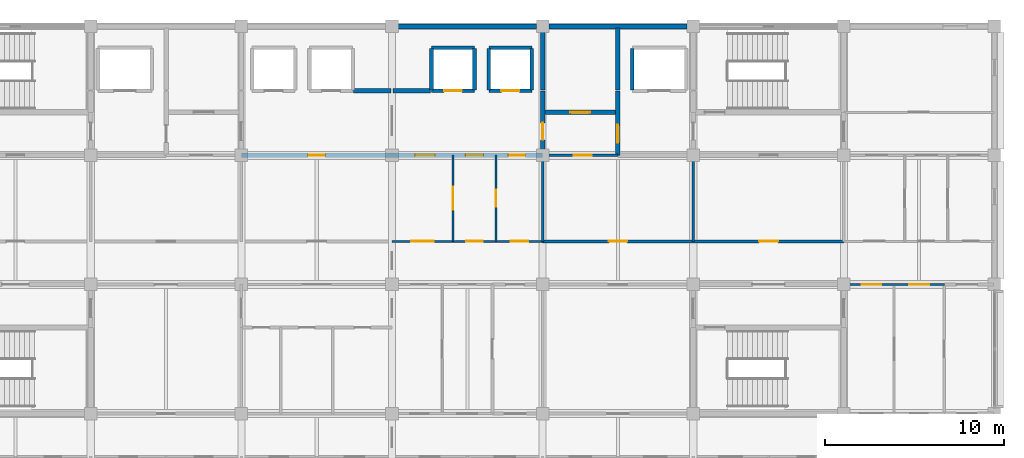
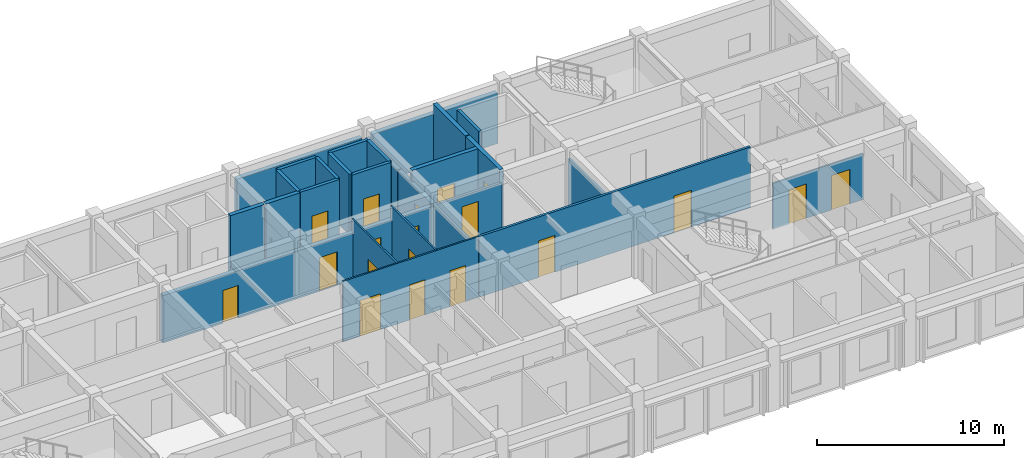
# One storey, part 15 of 19: 27 walls, 19 doors, 19 openings.
"""IFC4 building model written with IfcOpenShell, lengths in metres."""

from ifc_helpers import new_model, si_unit, direction, frame, frame_2d, origin, place, context, subcontext, project, spatial, rectangle, extrude, material, layer, layer_set, type_object, element, fill, save


model = new_model("IFC4")

# Units and contexts
model_context = context("Model", 3, precision=1e-05, world=origin(), true_north=direction((0.0, 1.0)))
body_context = subcontext(model_context, "Body", "Model", "MODEL_VIEW")
ifc_project = project(units=[si_unit("LENGTHUNIT", "METRE"), si_unit("AREAUNIT", "SQUARE_METRE"), si_unit("VOLUMEUNIT", "CUBIC_METRE"), si_unit("PLANEANGLEUNIT", "RADIAN"), si_unit("MASSUNIT", "GRAM", prefix="KILO")], contexts=[model_context])

# Site, building, storey
site_placement = place(None, origin())
site = spatial("IfcSite", under=ifc_project, at=site_placement, CompositionType="ELEMENT")
building_placement = place(site_placement, origin())
building = spatial("IfcBuilding", under=site, at=building_placement, Name="Chengyuan Square Courthouse", CompositionType="ELEMENT")
storey_placement = place(building_placement, frame((0.0, 0.0, 56.10009765625)))
storey = spatial("IfcBuildingStorey", under=building, at=storey_placement, Name="L13", CompositionType="ELEMENT", Elevation=56.10009765625)

# Walls
ifc_material_1 = material(Name="Concrete C40", Category="concrete")
ifc_layer_1 = layer(ifc_material_1, 0.280029296875)
ifc_layer_set_1 = layer_set([ifc_layer_1], Name="Concrete C40")
wall_type_1 = type_object("IfcWallType", Name="WL-EW4", PredefinedType="STANDARD", material=ifc_layer_set_1)
for number, where, z_axis, x_axis, name in (
    (1, (84.344970703125, 108.0, 0.0), (0.0, 0.0, 1.0), (1.0, 0.0, 0.0), "Exterior Wall WL-L13-E498"),
    (2, (92.7451171875, 108.0, 0.0), (0.0, 0.0, 1.0), (1.0, 0.0, 0.0), "Exterior Wall WL-L13-E500"),
):
    element("IfcWall", number, at=place(storey_placement, frame(where, z_axis=z_axis, x_axis=x_axis)), inside=storey, type_object=wall_type_1, Name=name, PredefinedType="STANDARD", context=body_context, shape_type="SweptSolid", body=[
        extrude(rectangle(XDim=7.7099609375, YDim=0.280029296875, at=frame_2d((3.85498046875, 0.0))), origin(), (0.0, 0.0, 1.0), 3.309814453125),
    ])

# Wall, openings, doors
ifc_layer_2 = layer(ifc_material_1, 0.25)
ifc_layer_set_2 = layer_set([ifc_layer_2], Name="Concrete C40")
wall_type_2 = type_object("IfcWallType", Name="WL-FW1", PredefinedType="STANDARD", material=ifc_layer_set_2)
wall_1_placement = place(storey_placement, frame((75.60009765625, 100.800048828125, 0.0), z_axis=(0.0, 0.0, 1.0), x_axis=(1.0, 0.0, 0.0)))
wall_1 = element("IfcWall", 3, at=wall_1_placement, inside=storey, type_object=wall_type_2, Name="Interior Wall WL-L13-I3799", PredefinedType="STANDARD", context=body_context, shape_type="SweptSolid", body=[
    extrude(rectangle(XDim=16.7998046875, YDim=0.25, at=frame_2d((8.39990234375, 0.0))), origin(), (0.0, 0.0, 1.0), 3.10986328125),
])
opening_1_placement = place(wall_1_placement, frame((3.72509765625, 0.0, 0.0)))
opening_1 = element("IfcOpeningElement", 4, at=opening_1_placement, cuts=wall_1, Name="Opening DR-3148", PredefinedType="OPENING", context=body_context, shape_type="SweptSolid", body=[
    extrude(rectangle(XDim=0.949951171875, YDim=2.14990234375, at=frame_2d((0.47509765625, 1.074951171875))), frame((0.0, 0.136962890625, 0.0), z_axis=(0.0, -1.0, 0.0), x_axis=(1.0, 0.0, 0.0)), (0.0, 0.0, 1.0), 0.27392578125),
])
opening_2_placement = place(wall_1_placement, frame((9.68505859375, 0.0, 0.0)))
opening_2 = element("IfcOpeningElement", 5, at=opening_2_placement, cuts=wall_1, Name="Opening DR-3149", PredefinedType="OPENING", context=body_context, shape_type="SweptSolid", body=[
    extrude(rectangle(XDim=1.10009765625, YDim=2.199951171875, at=frame_2d((0.550048828125, 1.10009765625))), frame((0.0, 0.136962890625, 0.0), z_axis=(0.0, -1.0, 0.0), x_axis=(1.0, 0.0, 0.0)), (0.0, 0.0, 1.0), 0.27392578125),
])
opening_3_placement = place(wall_1_placement, frame((12.5, 0.0, 0.0)))
opening_3 = element("IfcOpeningElement", 6, at=opening_3_placement, cuts=wall_1, Name="Opening DR-3150", PredefinedType="OPENING", context=body_context, shape_type="SweptSolid", body=[
    extrude(rectangle(XDim=1.0, YDim=2.199951171875, at=frame_2d((0.5, 1.10009765625))), frame((0.0, 0.136962890625, 0.0), z_axis=(0.0, -1.0, 0.0), x_axis=(1.0, 0.0, 0.0)), (0.0, 0.0, 1.0), 0.27392578125),
])
opening_4_placement = place(wall_1_placement, frame((14.889892578125, 0.0, 0.0)))
opening_4 = element("IfcOpeningElement", 7, at=opening_4_placement, cuts=wall_1, Name="Opening DR-3151", PredefinedType="OPENING", context=body_context, shape_type="SweptSolid", body=[
    extrude(rectangle(XDim=0.949951171875, YDim=2.14990234375, at=frame_2d((0.47509765625, 1.074951171875))), frame((0.0, 0.136962890625, 0.0), z_axis=(0.0, -1.0, 0.0), x_axis=(1.0, 0.0, 0.0)), (0.0, 0.0, 1.0), 0.27392578125),
])
ifc_material_2 = material(Name="Steel Q235B Fire Door", Category="steel")
door_type_1 = type_object("IfcDoorType", Name="DT-10", OperationType="NOTDEFINED", PredefinedType="DOOR", material=ifc_material_2)
door_1_placement = place(opening_2_placement, origin())
door_1 = element("IfcDoor", 8, at=door_1_placement, inside=storey, type_object=door_type_1, Name="Interior Door DR-3149", OperationType="SINGLE_SWING_LEFT", OverallHeight=2.199951171875, OverallWidth=1.10009765625, PredefinedType="DOOR", context=body_context, shape_type="SweptSolid", body=[
    extrude(rectangle(XDim=1.10009765625, YDim=2.199951171875, at=frame_2d((0.550048828125, 1.10009765625))), frame((0.0, 0.02490234375, 0.0), z_axis=(0.0, -1.0, 0.0), x_axis=(1.0, 0.0, 0.0)), (0.0, 0.0, 1.0), 0.050048828125),
])
fill(opening_2, door_1)
door_type_2 = type_object("IfcDoorType", Name="DT-11", OperationType="NOTDEFINED", PredefinedType="DOOR", material=ifc_material_2)
door_2_placement = place(opening_3_placement, origin())
door_2 = element("IfcDoor", 9, at=door_2_placement, inside=storey, type_object=door_type_2, Name="Interior Door DR-3150", OperationType="SINGLE_SWING_RIGHT", OverallHeight=2.199951171875, OverallWidth=1.0, PredefinedType="DOOR", context=body_context, shape_type="SweptSolid", body=[
    extrude(rectangle(XDim=1.0, YDim=2.199951171875, at=frame_2d((0.5, 1.10009765625))), frame((0.0, 0.02490234375, 0.0), z_axis=(0.0, -1.0, 0.0), x_axis=(1.0, 0.0, 0.0)), (0.0, 0.0, 1.0), 0.050048828125),
])
fill(opening_3, door_2)
door_type_3 = type_object("IfcDoorType", Name="DT-12", OperationType="NOTDEFINED", PredefinedType="DOOR", material=ifc_material_2)
door_3_placement = place(opening_1_placement, origin())
door_3 = element("IfcDoor", 10, at=door_3_placement, inside=storey, type_object=door_type_3, Name="Interior Door DR-3148", OperationType="SINGLE_SWING_RIGHT", OverallHeight=2.14990234375, OverallWidth=0.949951171875, PredefinedType="DOOR", context=body_context, shape_type="SweptSolid", body=[
    extrude(rectangle(XDim=0.949951171875, YDim=2.14990234375, at=frame_2d((0.47509765625, 1.074951171875))), frame((0.0, 0.02490234375, 0.0), z_axis=(0.0, -1.0, 0.0), x_axis=(1.0, 0.0, 0.0)), (0.0, 0.0, 1.0), 0.050048828125),
])
fill(opening_1, door_3)
door_4_placement = place(opening_4_placement, origin())
door_4 = element("IfcDoor", 11, at=door_4_placement, inside=storey, type_object=door_type_3, Name="Interior Door DR-3151", OperationType="SINGLE_SWING_LEFT", OverallHeight=2.14990234375, OverallWidth=0.949951171875, PredefinedType="DOOR", context=body_context, shape_type="SweptSolid", body=[
    extrude(rectangle(XDim=0.949951171875, YDim=2.14990234375, at=frame_2d((0.47509765625, 1.074951171875))), frame((0.0, 0.02490234375, 0.0), z_axis=(0.0, -1.0, 0.0), x_axis=(1.0, 0.0, 0.0)), (0.0, 0.0, 1.0), 0.050048828125),
])
fill(opening_4, door_4)

# Wall, opening, door
wall_2_placement = place(storey_placement, frame((92.39990234375, 103.199951171875, 0.0), z_axis=(0.0, 0.0, 1.0), x_axis=(1.0, 0.0, 0.0)))
wall_2 = element("IfcWall", 12, at=wall_2_placement, inside=storey, type_object=wall_type_2, Name="Interior Wall WL-L13-I3806", PredefinedType="STANDARD", context=body_context, shape_type="SweptSolid", body=[
    extrude(rectangle(XDim=4.2001953125, YDim=0.25, at=frame_2d((2.10009765625, 0.0))), origin(), (0.0, 0.0, 1.0), 3.9599609375),
])
opening_5_placement = place(wall_2_placement, frame((1.550048828125, 0.0, 0.0)))
opening_5 = element("IfcOpeningElement", 13, at=opening_5_placement, cuts=wall_2, Name="Opening DR-3143", PredefinedType="OPENING", context=body_context, shape_type="SweptSolid", body=[
    extrude(rectangle(XDim=1.10009765625, YDim=2.199951171875, at=frame_2d((0.550048828125, 1.10009765625))), frame((0.0, 0.136962890625, 0.0), z_axis=(0.0, -1.0, 0.0), x_axis=(1.0, 0.0, 0.0)), (0.0, 0.0, 1.0), 0.27392578125),
])
door_5_placement = place(opening_5_placement, origin())
door_5 = element("IfcDoor", 14, at=door_5_placement, inside=storey, type_object=door_type_1, Name="Interior Door DR-3143", OperationType="SINGLE_SWING_RIGHT", OverallHeight=2.199951171875, OverallWidth=1.10009765625, PredefinedType="DOOR", context=body_context, shape_type="SweptSolid", body=[
    extrude(rectangle(XDim=1.10009765625, YDim=2.199951171875, at=frame_2d((0.550048828125, 1.10009765625))), frame((0.0, 0.02490234375, 0.0), z_axis=(0.0, -1.0, 0.0), x_axis=(1.0, 0.0, 0.0)), (0.0, 0.0, 1.0), 0.050048828125),
])
fill(opening_5, door_5)

# Walls
for number, where, z_axis, x_axis, name in (
    (15, (81.85009765625, 104.39990234375, 0.0), (0.0, 0.0, 1.0), (1.0, 0.0, 0.0), "Interior Wall WL-L13-I3812"),
    (16, (84.050048828125, 104.39990234375, 0.0), (0.0, 0.0, 1.0), (1.0, 0.0, 0.0), "Interior Wall WL-L13-I3813"),
):
    element("IfcWall", number, at=place(storey_placement, frame(where, z_axis=z_axis, x_axis=x_axis)), inside=storey, type_object=wall_type_2, Name=name, PredefinedType="STANDARD", context=body_context, shape_type="SweptSolid", body=[
        extrude(rectangle(XDim=2.099853515625, YDim=0.25, at=frame_2d((1.0498046875, 0.0))), origin(), (0.0, 0.0, 1.0), 3.9599609375),
    ])

# Wall, opening, door
wall_3_placement = place(storey_placement, frame((92.39990234375, 100.800048828125, 0.0), z_axis=(0.0, 0.0, 1.0), x_axis=(0.0, 1.0, 0.0)))
wall_3 = element("IfcWall", 17, at=wall_3_placement, inside=storey, type_object=wall_type_2, Name="Interior Wall WL-L13-I3873", PredefinedType="STANDARD", context=body_context, shape_type="SweptSolid", body=[
    extrude(rectangle(XDim=3.599853515625, YDim=0.25, at=frame_2d((1.7998046875, 0.0))), origin(), (0.0, 0.0, 1.0), 3.2099609375),
])
opening_6_placement = place(wall_3_placement, frame((0.860107421875, 0.0, 0.0)))
opening_6 = element("IfcOpeningElement", 18, at=opening_6_placement, cuts=wall_3, Name="Opening DR-3145", PredefinedType="OPENING", context=body_context, shape_type="SweptSolid", body=[
    extrude(rectangle(XDim=0.949951171875, YDim=2.14990234375, at=frame_2d((0.47509765625, 1.074951171875))), frame((0.0, 0.136962890625, 0.0), z_axis=(0.0, -1.0, 0.0), x_axis=(1.0, 0.0, 0.0)), (0.0, 0.0, 1.0), 0.27392578125),
])
door_6_placement = place(opening_6_placement, origin())
door_6 = element("IfcDoor", 19, at=door_6_placement, inside=storey, type_object=door_type_3, Name="Interior Door DR-3145", OperationType="SINGLE_SWING_RIGHT", OverallHeight=2.14990234375, OverallWidth=0.949951171875, PredefinedType="DOOR", context=body_context, shape_type="SweptSolid", body=[
    extrude(rectangle(XDim=0.949951171875, YDim=2.14990234375, at=frame_2d((0.47509765625, 1.074951171875))), frame((0.0, 0.02490234375, 0.0), z_axis=(0.0, -1.0, 0.0), x_axis=(1.0, 0.0, 0.0)), (0.0, 0.0, 1.0), 0.050048828125),
])
fill(opening_6, door_6)

# Wall
wall_4_placement = place(storey_placement, frame((92.39990234375, 104.449951171875, 0.0), z_axis=(0.0, 0.0, 1.0), x_axis=(0.0, 1.0, 0.0)))
element("IfcWall", 20, at=wall_4_placement, inside=storey, type_object=wall_type_2, Name="Interior Wall WL-L13-I3874", PredefinedType="STANDARD", context=body_context, shape_type="SweptSolid", body=[
    extrude(rectangle(XDim=3.4599609375, YDim=0.25, at=frame_2d((1.72998046875, 0.0))), origin(), (0.0, 0.0, 1.0), 3.2099609375),
])

# Wall, opening, door
wall_5_placement = place(storey_placement, frame((96.60009765625, 100.800048828125, 0.0), z_axis=(0.0, 0.0, 1.0), x_axis=(0.0, 1.0, 0.0)))
wall_5 = element("IfcWall", 21, at=wall_5_placement, inside=storey, type_object=wall_type_2, Name="Interior Wall WL-L13-I3876", PredefinedType="STANDARD", context=body_context, shape_type="SweptSolid", body=[
    extrude(rectangle(XDim=3.599853515625, YDim=0.25, at=frame_2d((1.7998046875, 0.0))), origin(), (0.0, 0.0, 1.0), 3.9599609375),
])
opening_7_placement = place(wall_5_placement, frame((0.699951171875, 0.0, 0.0)))
opening_7 = element("IfcOpeningElement", 22, at=opening_7_placement, cuts=wall_5, Name="Opening DR-3144", PredefinedType="OPENING", context=body_context, shape_type="SweptSolid", body=[
    extrude(rectangle(XDim=1.0, YDim=2.199951171875, at=frame_2d((0.5, 1.10009765625))), frame((0.0, 0.136962890625, 0.0), z_axis=(0.0, -1.0, 0.0), x_axis=(1.0, 0.0, 0.0)), (0.0, 0.0, 1.0), 0.27392578125),
])
door_7_placement = place(opening_7_placement, origin())
door_7 = element("IfcDoor", 23, at=door_7_placement, inside=storey, type_object=door_type_2, Name="Interior Door DR-3144", OperationType="SINGLE_SWING_LEFT", OverallHeight=2.199951171875, OverallWidth=1.0, PredefinedType="DOOR", context=body_context, shape_type="SweptSolid", body=[
    extrude(rectangle(XDim=1.0, YDim=2.199951171875, at=frame_2d((0.5, 1.10009765625))), frame((0.0, 0.02490234375, 0.0), z_axis=(0.0, -1.0, 0.0), x_axis=(1.0, 0.0, 0.0)), (0.0, 0.0, 1.0), 0.050048828125),
])
fill(opening_7, door_7)

# Wall
wall_6_placement = place(storey_placement, frame((96.60009765625, 104.449951171875, 0.0), z_axis=(0.0, 0.0, 1.0), x_axis=(0.0, 1.0, 0.0)))
element("IfcWall", 24, at=wall_6_placement, inside=storey, type_object=wall_type_2, Name="Interior Wall WL-L13-I3877", PredefinedType="STANDARD", context=body_context, shape_type="SweptSolid", body=[
    extrude(rectangle(XDim=3.4599609375, YDim=0.25, at=frame_2d((1.72998046875, 0.0))), origin(), (0.0, 0.0, 1.0), 3.9599609375),
])

# Wall, openings, doors
ifc_material_3 = material(Name="Deliberation Room Sound-Insulated Partition")
ifc_layer_3 = layer(ifc_material_3, 0.14990234375)
ifc_layer_set_3 = layer_set([ifc_layer_3], Name="Deliberation Room Sound-Insulated Partition")
wall_type_3 = type_object("IfcWallType", Name="WL-PT3", PredefinedType="STANDARD", material=ifc_layer_set_3)
wall_7_placement = place(storey_placement, frame((92.39990234375, 96.0, 0.0), z_axis=(0.0, 0.0, 1.0), x_axis=(1.0, 0.0, 0.0)))
wall_7 = element("IfcWall", 25, at=wall_7_placement, inside=storey, type_object=wall_type_3, Name="Interior Wall WL-L13-I3794", PredefinedType="STANDARD", context=body_context, shape_type="SweptSolid", body=[
    extrude(rectangle(XDim=16.800048828125, YDim=0.14990234375, at=frame_2d((8.39990234375, 0.0))), origin(), (0.0, 0.0, 1.0), 3.9599609375),
])
opening_8_placement = place(wall_7_placement, frame((3.68994140625, 0.0, 0.0)))
opening_8 = element("IfcOpeningElement", 26, at=opening_8_placement, cuts=wall_7, Name="Opening DR-3180", PredefinedType="OPENING", context=body_context, shape_type="SweptSolid", body=[
    extrude(rectangle(XDim=1.02001953125, YDim=2.39990234375, at=frame_2d((0.510009765625, 1.199951171875))), frame((0.0, 0.0869140625, 0.0), z_axis=(0.0, -1.0, 0.0), x_axis=(1.0, 0.0, 0.0)), (0.0, 0.0, 1.0), 0.173828125),
])
opening_9_placement = place(wall_7_placement, frame((12.070068359375, 0.0, 0.0)))
opening_9 = element("IfcOpeningElement", 27, at=opening_9_placement, cuts=wall_7, Name="Opening DR-3181", PredefinedType="OPENING", context=body_context, shape_type="SweptSolid", body=[
    extrude(rectangle(XDim=1.06005859375, YDim=2.39990234375, at=frame_2d((0.530029296875, 1.199951171875))), frame((0.0, 0.0869140625, 0.0), z_axis=(0.0, -1.0, 0.0), x_axis=(1.0, 0.0, 0.0)), (0.0, 0.0, 1.0), 0.173828125),
])
ifc_material_4 = material(Name="Acoustic Solid-Core Timber Door", Category="wood")
door_type_4 = type_object("IfcDoorType", Name="DT-41", OperationType="NOTDEFINED", PredefinedType="DOOR", material=ifc_material_4)
door_8_placement = place(opening_8_placement, origin())
door_8 = element("IfcDoor", 28, at=door_8_placement, inside=storey, type_object=door_type_4, Name="Interior Door DR-3180", OperationType="SINGLE_SWING_LEFT", OverallHeight=2.39990234375, OverallWidth=1.02001953125, PredefinedType="DOOR", context=body_context, shape_type="SweptSolid", body=[
    extrude(rectangle(XDim=1.02001953125, YDim=2.39990234375, at=frame_2d((0.510009765625, 1.199951171875))), frame((0.0, 0.02490234375, 0.0), z_axis=(0.0, -1.0, 0.0), x_axis=(1.0, 0.0, 0.0)), (0.0, 0.0, 1.0), 0.050048828125),
])
fill(opening_8, door_8)
door_type_5 = type_object("IfcDoorType", Name="DT-42", OperationType="NOTDEFINED", PredefinedType="DOOR", material=ifc_material_4)
door_9_placement = place(opening_9_placement, origin())
door_9 = element("IfcDoor", 29, at=door_9_placement, inside=storey, type_object=door_type_5, Name="Interior Door DR-3181", OperationType="SINGLE_SWING_RIGHT", OverallHeight=2.39990234375, OverallWidth=1.06005859375, PredefinedType="DOOR", context=body_context, shape_type="SweptSolid", body=[
    extrude(rectangle(XDim=1.06005859375, YDim=2.39990234375, at=frame_2d((0.530029296875, 1.199951171875))), frame((0.0, 0.02490234375, 0.0), z_axis=(0.0, -1.0, 0.0), x_axis=(1.0, 0.0, 0.0)), (0.0, 0.0, 1.0), 0.050048828125),
])
fill(opening_9, door_9)

# Wall, opening, door
wall_8_placement = place(storey_placement, frame((92.39990234375, 100.800048828125, 0.0), z_axis=(0.0, 0.0, 1.0), x_axis=(1.0, 0.0, 0.0)))
wall_8 = element("IfcWall", 30, at=wall_8_placement, inside=storey, type_object=wall_type_3, Name="Interior Wall WL-L13-I3800", PredefinedType="STANDARD", context=body_context, shape_type="SweptSolid", body=[
    extrude(rectangle(XDim=4.2001953125, YDim=0.14990234375, at=frame_2d((2.10009765625, 0.0))), origin(), (0.0, 0.0, 1.0), 3.10986328125),
])
opening_10_placement = place(wall_8_placement, frame((1.72509765625, 0.0, 0.0)))
opening_10 = element("IfcOpeningElement", 31, at=opening_10_placement, cuts=wall_8, Name="Opening DR-3146", PredefinedType="OPENING", context=body_context, shape_type="SweptSolid", body=[
    extrude(rectangle(XDim=1.02001953125, YDim=2.39990234375, at=frame_2d((0.510009765625, 1.199951171875))), frame((0.0, 0.0869140625, 0.0), z_axis=(0.0, -1.0, 0.0), x_axis=(1.0, 0.0, 0.0)), (0.0, 0.0, 1.0), 0.173828125),
])
door_10_placement = place(opening_10_placement, origin())
door_10 = element("IfcDoor", 32, at=door_10_placement, inside=storey, type_object=door_type_4, Name="Interior Door DR-3146", OperationType="SINGLE_SWING_LEFT", OverallHeight=2.39990234375, OverallWidth=1.02001953125, PredefinedType="DOOR", context=body_context, shape_type="SweptSolid", body=[
    extrude(rectangle(XDim=1.02001953125, YDim=2.39990234375, at=frame_2d((0.510009765625, 1.199951171875))), frame((0.0, 0.02490234375, 0.0), z_axis=(0.0, -1.0, 0.0), x_axis=(1.0, 0.0, 0.0)), (0.0, 0.0, 1.0), 0.050048828125),
])
fill(opening_10, door_10)

# Walls
for number, where, z_axis, x_axis, name in (
    (33, (92.39990234375, 96.0, 0.0), (0.0, 0.0, 1.0), (0.0, 1.0, 0.0), "Interior Wall WL-L13-I3872"),
    (34, (100.800048828125, 96.0, 0.0), (0.0, 0.0, 1.0), (0.0, 1.0, 0.0), "Interior Wall WL-L13-I3883"),
):
    element("IfcWall", number, at=place(storey_placement, frame(where, z_axis=z_axis, x_axis=x_axis)), inside=storey, type_object=wall_type_3, Name=name, PredefinedType="STANDARD", context=body_context, shape_type="SweptSolid", body=[
        extrude(rectangle(XDim=4.800048828125, YDim=0.14990234375, at=frame_2d((2.39990234375, 0.0))), origin(), (0.0, 0.0, 1.0), 3.2099609375),
    ])

# Wall, openings, doors
ifc_material_5 = material(Name="Gypsum Plasterboard Acoustic Stud Partition")
ifc_layer_4 = layer(ifc_material_5, 0.10009765625)
ifc_layer_set_4 = layer_set([ifc_layer_4], Name="Gypsum Plasterboard Acoustic Stud Partition")
wall_type_4 = type_object("IfcWallType", Name="WL-PT6", PredefinedType="STANDARD", material=ifc_layer_set_4)
wall_9_placement = place(storey_placement, frame((109.199951171875, 93.60009765625, 0.0), z_axis=(0.0, 0.0, 1.0), x_axis=(1.0, 0.0, 0.0)))
wall_9 = element("IfcWall", 35, at=wall_9_placement, inside=storey, type_object=wall_type_4, Name="Interior Wall WL-L13-I3789", PredefinedType="STANDARD", context=body_context, shape_type="SweptSolid", body=[
    extrude(rectangle(XDim=5.60009765625, YDim=0.10009765625, at=frame_2d((2.800048828125, 0.0))), origin(), (0.0, 0.0, 1.0), 3.0),
])
opening_11_placement = place(wall_9_placement, frame((0.9951171875, 0.0, 0.0)))
opening_11 = element("IfcOpeningElement", 36, at=opening_11_placement, cuts=wall_9, Name="Opening DR-3189", PredefinedType="OPENING", context=body_context, shape_type="SweptSolid", body=[
    extrude(rectangle(XDim=1.080078125, YDim=2.25, at=frame_2d((0.5400390625, 1.125))), frame((0.0, 0.06201171875, 0.0), z_axis=(0.0, -1.0, 0.0), x_axis=(1.0, 0.0, 0.0)), (0.0, 0.0, 1.0), 0.1240234375),
])
opening_12_placement = place(wall_9_placement, frame((3.639892578125, 0.0, 0.0)))
opening_12 = element("IfcOpeningElement", 37, at=opening_12_placement, cuts=wall_9, Name="Opening DR-3190", PredefinedType="OPENING", context=body_context, shape_type="SweptSolid", body=[
    extrude(rectangle(XDim=1.1201171875, YDim=2.25, at=frame_2d((0.56005859375, 1.125))), frame((0.0, 0.06201171875, 0.0), z_axis=(0.0, -1.0, 0.0), x_axis=(1.0, 0.0, 0.0)), (0.0, 0.0, 1.0), 0.1240234375),
])
door_type_6 = type_object("IfcDoorType", Name="DT-33", OperationType="NOTDEFINED", PredefinedType="DOOR", material=ifc_material_4)
door_11_placement = place(opening_11_placement, origin())
door_11 = element("IfcDoor", 38, at=door_11_placement, inside=storey, type_object=door_type_6, Name="Interior Door DR-3189", OperationType="SINGLE_SWING_RIGHT", OverallHeight=2.25, OverallWidth=1.080078125, PredefinedType="DOOR", context=body_context, shape_type="SweptSolid", body=[
    extrude(rectangle(XDim=1.080078125, YDim=2.25, at=frame_2d((0.5400390625, 1.125))), frame((0.0, 0.02490234375, 0.0), z_axis=(0.0, -1.0, 0.0), x_axis=(1.0, 0.0, 0.0)), (0.0, 0.0, 1.0), 0.050048828125),
])
fill(opening_11, door_11)
door_type_7 = type_object("IfcDoorType", Name="DT-34", OperationType="NOTDEFINED", PredefinedType="DOOR", material=ifc_material_4)
door_12_placement = place(opening_12_placement, origin())
door_12 = element("IfcDoor", 39, at=door_12_placement, inside=storey, type_object=door_type_7, Name="Interior Door DR-3190", OperationType="SINGLE_SWING_LEFT", OverallHeight=2.25, OverallWidth=1.1201171875, PredefinedType="DOOR", context=body_context, shape_type="SweptSolid", body=[
    extrude(rectangle(XDim=1.1201171875, YDim=2.25, at=frame_2d((0.56005859375, 1.125))), frame((0.0, 0.02490234375, 0.0), z_axis=(0.0, -1.0, 0.0), x_axis=(1.0, 0.0, 0.0)), (0.0, 0.0, 1.0), 0.050048828125),
])
fill(opening_12, door_12)

wall_10_placement = place(storey_placement, frame((84.0, 96.0, 0.0), z_axis=(0.0, 0.0, 1.0), x_axis=(1.0, 0.0, 0.0)))
wall_10 = element("IfcWall", 40, at=wall_10_placement, inside=storey, type_object=wall_type_4, Name="Interior Wall WL-L13-I3793", PredefinedType="STANDARD", context=body_context, shape_type="SweptSolid", body=[
    extrude(rectangle(XDim=8.39990234375, YDim=0.10009765625, at=frame_2d((4.199951171875, 0.0))), origin(), (0.0, 0.0, 1.0), 3.9599609375),
])
opening_13_placement = place(wall_10_placement, frame((1.06005859375, 0.0, 0.0)))
opening_13 = element("IfcOpeningElement", 41, at=opening_13_placement, cuts=wall_10, Name="Opening DR-3177", PredefinedType="OPENING", context=body_context, shape_type="SweptSolid", body=[
    extrude(rectangle(XDim=1.280029296875, YDim=2.35009765625, at=frame_2d((0.64013671875, 1.175048828125))), frame((0.0, 0.06201171875, 0.0), z_axis=(0.0, -1.0, 0.0), x_axis=(1.0, 0.0, 0.0)), (0.0, 0.0, 1.0), 0.1240234375),
])
opening_14_placement = place(wall_10_placement, frame((4.1298828125, 0.0, 0.0)))
opening_14 = element("IfcOpeningElement", 42, at=opening_14_placement, cuts=wall_10, Name="Opening DR-3178", PredefinedType="OPENING", context=body_context, shape_type="SweptSolid", body=[
    extrude(rectangle(XDim=0.93994140625, YDim=2.300048828125, at=frame_2d((0.469970703125, 1.14990234375))), frame((0.0, 0.06201171875, 0.0), z_axis=(0.0, -1.0, 0.0), x_axis=(1.0, 0.0, 0.0)), (0.0, 0.0, 1.0), 0.1240234375),
])
opening_15_placement = place(wall_10_placement, frame((6.610107421875, 0.0, 0.0)))
opening_15 = element("IfcOpeningElement", 43, at=opening_15_placement, cuts=wall_10, Name="Opening DR-3179", PredefinedType="OPENING", context=body_context, shape_type="SweptSolid", body=[
    extrude(rectangle(XDim=0.97998046875, YDim=2.35009765625, at=frame_2d((0.489990234375, 1.175048828125))), frame((0.0, 0.06201171875, 0.0), z_axis=(0.0, -1.0, 0.0), x_axis=(1.0, 0.0, 0.0)), (0.0, 0.0, 1.0), 0.1240234375),
])
door_type_8 = type_object("IfcDoorType", Name="DT-38", OperationType="NOTDEFINED", PredefinedType="DOOR", material=ifc_material_4)
door_13_placement = place(opening_13_placement, origin())
door_13 = element("IfcDoor", 44, at=door_13_placement, inside=storey, type_object=door_type_8, Name="Interior Door DR-3177", OperationType="SINGLE_SWING_RIGHT", OverallHeight=2.35009765625, OverallWidth=1.280029296875, PredefinedType="DOOR", context=body_context, shape_type="SweptSolid", body=[
    extrude(rectangle(XDim=1.280029296875, YDim=2.35009765625, at=frame_2d((0.64013671875, 1.175048828125))), frame((0.0, 0.02490234375, 0.0), z_axis=(0.0, -1.0, 0.0), x_axis=(1.0, 0.0, 0.0)), (0.0, 0.0, 1.0), 0.050048828125),
])
fill(opening_13, door_13)
door_type_9 = type_object("IfcDoorType", Name="DT-39", OperationType="NOTDEFINED", PredefinedType="DOOR", material=ifc_material_4)
door_14_placement = place(opening_14_placement, origin())
door_14 = element("IfcDoor", 45, at=door_14_placement, inside=storey, type_object=door_type_9, Name="Interior Door DR-3178", OperationType="SINGLE_SWING_LEFT", OverallHeight=2.300048828125, OverallWidth=0.93994140625, PredefinedType="DOOR", context=body_context, shape_type="SweptSolid", body=[
    extrude(rectangle(XDim=0.93994140625, YDim=2.300048828125, at=frame_2d((0.469970703125, 1.14990234375))), frame((0.0, 0.02490234375, 0.0), z_axis=(0.0, -1.0, 0.0), x_axis=(1.0, 0.0, 0.0)), (0.0, 0.0, 1.0), 0.050048828125),
])
fill(opening_14, door_14)
door_type_10 = type_object("IfcDoorType", Name="DT-40", OperationType="NOTDEFINED", PredefinedType="DOOR", material=ifc_material_4)
door_15_placement = place(opening_15_placement, origin())
door_15 = element("IfcDoor", 46, at=door_15_placement, inside=storey, type_object=door_type_10, Name="Interior Door DR-3179", OperationType="SINGLE_SWING_RIGHT", OverallHeight=2.35009765625, OverallWidth=0.97998046875, PredefinedType="DOOR", context=body_context, shape_type="SweptSolid", body=[
    extrude(rectangle(XDim=0.97998046875, YDim=2.35009765625, at=frame_2d((0.489990234375, 1.175048828125))), frame((0.0, 0.02490234375, 0.0), z_axis=(0.0, -1.0, 0.0), x_axis=(1.0, 0.0, 0.0)), (0.0, 0.0, 1.0), 0.050048828125),
])
fill(opening_15, door_15)

# Wall, opening, door
wall_11_placement = place(storey_placement, frame((87.39990234375, 96.0, 0.0), z_axis=(0.0, 0.0, 1.0), x_axis=(0.0, 1.0, 0.0)))
wall_11 = element("IfcWall", 47, at=wall_11_placement, inside=storey, type_object=wall_type_4, Name="Interior Wall WL-L13-I3863", PredefinedType="STANDARD", context=body_context, shape_type="SweptSolid", body=[
    extrude(rectangle(XDim=4.800048828125, YDim=0.10009765625, at=frame_2d((2.39990234375, 0.0))), origin(), (0.0, 0.0, 1.0), 3.9599609375),
])
opening_16_placement = place(wall_11_placement, frame((1.760009765625, 0.0, 0.0)))
opening_16 = element("IfcOpeningElement", 48, at=opening_16_placement, cuts=wall_11, Name="Opening DR-3194", PredefinedType="OPENING", context=body_context, shape_type="SweptSolid", body=[
    extrude(rectangle(XDim=1.280029296875, YDim=2.35009765625, at=frame_2d((0.64013671875, 1.175048828125))), frame((0.0, 0.06201171875, 0.0), z_axis=(0.0, -1.0, 0.0), x_axis=(1.0, 0.0, 0.0)), (0.0, 0.0, 1.0), 0.1240234375),
])
door_16_placement = place(opening_16_placement, origin())
door_16 = element("IfcDoor", 49, at=door_16_placement, inside=storey, type_object=door_type_8, Name="Interior Door DR-3194", OperationType="SINGLE_SWING_LEFT", OverallHeight=2.35009765625, OverallWidth=1.280029296875, PredefinedType="DOOR", context=body_context, shape_type="SweptSolid", body=[
    extrude(rectangle(XDim=1.280029296875, YDim=2.35009765625, at=frame_2d((0.64013671875, 1.175048828125))), frame((0.0, 0.02490234375, 0.0), z_axis=(0.0, -1.0, 0.0), x_axis=(1.0, 0.0, 0.0)), (0.0, 0.0, 1.0), 0.050048828125),
])
fill(opening_16, door_16)

wall_12_placement = place(storey_placement, frame((89.800048828125, 96.0, 0.0), z_axis=(0.0, 0.0, 1.0), x_axis=(0.0, 1.0, 0.0)))
wall_12 = element("IfcWall", 50, at=wall_12_placement, inside=storey, type_object=wall_type_4, Name="Interior Wall WL-L13-I3868", PredefinedType="STANDARD", context=body_context, shape_type="SweptSolid", body=[
    extrude(rectangle(XDim=4.800048828125, YDim=0.10009765625, at=frame_2d((2.39990234375, 0.0))), origin(), (0.0, 0.0, 1.0), 3.9599609375),
])
opening_17_placement = place(wall_12_placement, frame((1.929931640625, 0.0, 0.0)))
opening_17 = element("IfcOpeningElement", 51, at=opening_17_placement, cuts=wall_12, Name="Opening DR-3195", PredefinedType="OPENING", context=body_context, shape_type="SweptSolid", body=[
    extrude(rectangle(XDim=0.93994140625, YDim=2.300048828125, at=frame_2d((0.469970703125, 1.14990234375))), frame((0.0, 0.06201171875, 0.0), z_axis=(0.0, -1.0, 0.0), x_axis=(1.0, 0.0, 0.0)), (0.0, 0.0, 1.0), 0.1240234375),
])
door_17_placement = place(opening_17_placement, origin())
door_17 = element("IfcDoor", 52, at=door_17_placement, inside=storey, type_object=door_type_9, Name="Interior Door DR-3195", OperationType="SINGLE_SWING_RIGHT", OverallHeight=2.300048828125, OverallWidth=0.93994140625, PredefinedType="DOOR", context=body_context, shape_type="SweptSolid", body=[
    extrude(rectangle(XDim=0.93994140625, YDim=2.300048828125, at=frame_2d((0.469970703125, 1.14990234375))), frame((0.0, 0.02490234375, 0.0), z_axis=(0.0, -1.0, 0.0), x_axis=(1.0, 0.0, 0.0)), (0.0, 0.0, 1.0), 0.050048828125),
])
fill(opening_17, door_17)

ifc_material_6 = material(Name="Reinforced Masonry Shaft Enclosure", Category="masonry")
ifc_layer_5 = layer(ifc_material_6, 0.199951171875)
ifc_layer_set_5 = layer_set([ifc_layer_5], Name="Reinforced Masonry Shaft Enclosure")
wall_type_5 = type_object("IfcWallType", Name="WL-SH1", PredefinedType="STANDARD", material=ifc_layer_set_5)
wall_13_placement = place(storey_placement, frame((86.199951171875, 104.39990234375, 0.0), z_axis=(0.0, 0.0, 1.0), x_axis=(1.0, 0.0, 0.0)))
wall_13 = element("IfcWall", 53, at=wall_13_placement, inside=storey, type_object=wall_type_5, Name="Interior Wall WL-L13-I3814", PredefinedType="STANDARD", context=body_context, shape_type="SweptSolid", body=[
    extrude(rectangle(XDim=2.400146484375, YDim=0.199951171875, at=frame_2d((1.2001953125, 0.0))), origin(), (0.0, 0.0, 1.0), 3.9599609375),
])
opening_18_placement = place(wall_13_placement, frame((0.699951171875, 0.0, 0.0)))
opening_18 = element("IfcOpeningElement", 54, at=opening_18_placement, cuts=wall_13, Name="Opening LD-197", PredefinedType="OPENING", context=body_context, shape_type="SweptSolid", body=[
    extrude(rectangle(XDim=1.0, YDim=2.14990234375, at=frame_2d((0.5, 1.074951171875))), frame((0.0, 0.112060546875, 0.0), z_axis=(0.0, -1.0, 0.0), x_axis=(1.0, 0.0, 0.0)), (0.0, 0.0, 1.0), 0.223876953125),
])
ifc_material_7 = material(Name="Stainless Steel S30408 Lift Landing Door", Category="steel")
door_type_11 = type_object("IfcDoorType", Name="DT-07", OperationType="DOUBLE_DOOR_SLIDING", PredefinedType="DOOR", material=ifc_material_7)
door_18_placement = place(opening_18_placement, origin())
door_18 = element("IfcDoor", 55, at=door_18_placement, inside=storey, type_object=door_type_11, Name="Lift Landing Door LF-J3 L13", OperationType="DOUBLE_DOOR_SLIDING", OverallHeight=2.14990234375, OverallWidth=1.0, PredefinedType="DOOR", context=body_context, shape_type="SweptSolid", body=[
    extrude(rectangle(XDim=1.0, YDim=2.14990234375, at=frame_2d((0.5, 1.074951171875))), frame((0.0, 0.02490234375, 0.0), z_axis=(0.0, -1.0, 0.0), x_axis=(1.0, 0.0, 0.0)), (0.0, 0.0, 1.0), 0.050048828125),
])
fill(opening_18, door_18)

wall_14_placement = place(storey_placement, frame((89.39990234375, 104.39990234375, 0.0), z_axis=(0.0, 0.0, 1.0), x_axis=(1.0, 0.0, 0.0)))
wall_14 = element("IfcWall", 56, at=wall_14_placement, inside=storey, type_object=wall_type_5, Name="Interior Wall WL-L13-I3815", PredefinedType="STANDARD", context=body_context, shape_type="SweptSolid", body=[
    extrude(rectangle(XDim=2.400146484375, YDim=0.199951171875, at=frame_2d((1.2001953125, 0.0))), origin(), (0.0, 0.0, 1.0), 3.9599609375),
])
opening_19_placement = place(wall_14_placement, frame((0.699951171875, 0.0, 0.0)))
opening_19 = element("IfcOpeningElement", 57, at=opening_19_placement, cuts=wall_14, Name="Opening LD-198", PredefinedType="OPENING", context=body_context, shape_type="SweptSolid", body=[
    extrude(rectangle(XDim=1.0, YDim=2.14990234375, at=frame_2d((0.5, 1.074951171875))), frame((0.0, 0.112060546875, 0.0), z_axis=(0.0, -1.0, 0.0), x_axis=(1.0, 0.0, 0.0)), (0.0, 0.0, 1.0), 0.223876953125),
])
door_19_placement = place(opening_19_placement, origin())
door_19 = element("IfcDoor", 58, at=door_19_placement, inside=storey, type_object=door_type_11, Name="Lift Landing Door LF-J4 L13", OperationType="DOUBLE_DOOR_SLIDING", OverallHeight=2.14990234375, OverallWidth=1.0, PredefinedType="DOOR", context=body_context, shape_type="SweptSolid", body=[
    extrude(rectangle(XDim=1.0, YDim=2.14990234375, at=frame_2d((0.5, 1.074951171875))), frame((0.0, 0.02490234375, 0.0), z_axis=(0.0, -1.0, 0.0), x_axis=(1.0, 0.0, 0.0)), (0.0, 0.0, 1.0), 0.050048828125),
])
fill(opening_19, door_19)

# Walls
for number, where, z_axis, x_axis, name in (
    (59, (86.199951171875, 106.800048828125, 0.0), (0.0, 0.0, 1.0), (1.0, 0.0, 0.0), "Interior Wall WL-L13-I3820"),
    (60, (89.39990234375, 106.800048828125, 0.0), (0.0, 0.0, 1.0), (1.0, 0.0, 0.0), "Interior Wall WL-L13-I3821"),
):
    element("IfcWall", number, at=place(storey_placement, frame(where, z_axis=z_axis, x_axis=x_axis)), inside=storey, type_object=wall_type_5, Name=name, PredefinedType="STANDARD", context=body_context, shape_type="SweptSolid", body=[
        extrude(rectangle(XDim=2.400146484375, YDim=0.199951171875, at=frame_2d((1.2001953125, 0.0))), origin(), (0.0, 0.0, 1.0), 3.9599609375),
    ])
for number, where, z_axis, x_axis, name in (
    (61, (86.199951171875, 104.449951171875, 0.0), (0.0, 0.0, 1.0), (0.0, 1.0, 0.0), "Interior Wall WL-L13-I3861"),
    (62, (88.60009765625, 104.449951171875, 0.0), (0.0, 0.0, 1.0), (0.0, 1.0, 0.0), "Interior Wall WL-L13-I3865"),
    (63, (89.39990234375, 104.449951171875, 0.0), (0.0, 0.0, 1.0), (0.0, 1.0, 0.0), "Interior Wall WL-L13-I3866"),
    (64, (91.800048828125, 104.449951171875, 0.0), (0.0, 0.0, 1.0), (0.0, 1.0, 0.0), "Interior Wall WL-L13-I3869"),
    (65, (97.39990234375, 104.449951171875, 0.0), (0.0, 0.0, 1.0), (0.0, 1.0, 0.0), "Interior Wall WL-L13-I3878"),
):
    element("IfcWall", number, at=place(storey_placement, frame(where, z_axis=z_axis, x_axis=x_axis)), inside=storey, type_object=wall_type_5, Name=name, PredefinedType="STANDARD", context=body_context, shape_type="SweptSolid", body=[
        extrude(rectangle(XDim=2.300048828125, YDim=0.199951171875, at=frame_2d((1.14990234375, 0.0))), origin(), (0.0, 0.0, 1.0), 3.9599609375),
    ])

save(model, "model.ifc")
